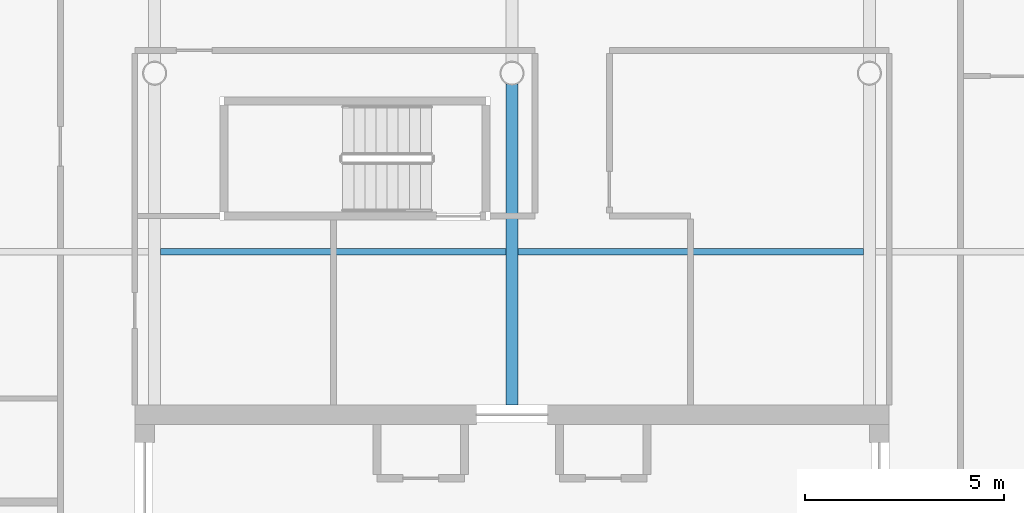
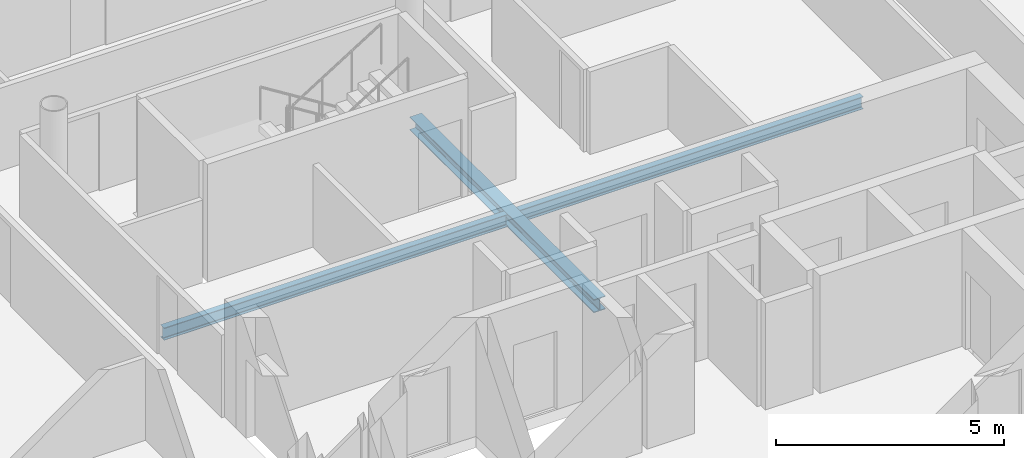
# One storey, part 7 of 19: 3 beams.
"""IFC4 building model written with IfcOpenShell, lengths in metres."""

from ifc_helpers import new_model, si_unit, direction, frame, origin, origin_2d, place, context, subcontext, project, spatial, i_section, extrude, material, material_profile, profile_set, type_object, element, save


model = new_model("IFC4")

# Units and contexts
model_context = context("Model", 3, precision=1e-05, world=origin(), true_north=direction((0.0, 1.0)))
body_context = subcontext(model_context, "Body", "Model", "MODEL_VIEW")
ifc_project = project(units=[si_unit("LENGTHUNIT", "METRE"), si_unit("AREAUNIT", "SQUARE_METRE"), si_unit("VOLUMEUNIT", "CUBIC_METRE"), si_unit("PLANEANGLEUNIT", "RADIAN"), si_unit("MASSUNIT", "GRAM", prefix="KILO")], contexts=[model_context])

# Site, building, storey
site_placement = place(None, origin())
site = spatial("IfcSite", under=ifc_project, at=site_placement, CompositionType="ELEMENT")
building_placement = place(site_placement, origin())
building = spatial("IfcBuilding", under=site, at=building_placement, Name="Tskaro Facet Tower", CompositionType="ELEMENT")
storey_placement = place(building_placement, frame((0.0, 0.0, 203.699951171875)))
storey = spatial("IfcBuildingStorey", under=building, at=storey_placement, Name="L52", CompositionType="ELEMENT", Elevation=203.699951171875)

# Beams
ifc_material = material(Name="Steel S355J2", Category="steel")
ifc_material_profile_1 = material_profile(ifc_material, i_section(OverallWidth=0.300048828125, OverallDepth=0.35009765625, WebThickness=0.010009765625, FlangeThickness=0.017578125, FilletRadius=0.027099609375, at=origin_2d()), Name="HE 360 A")
ifc_profile_set_1 = profile_set([ifc_material_profile_1], Name="Steel S355J2")
beam_type_1 = type_object("IfcBeamType", Name="HE 360 A girder", PredefinedType="BEAM", material=ifc_profile_set_1)
beam_placement = place(storey_placement, frame((0.0, 0.64990234375, -0.31494140625), z_axis=(0.0, 1.0, 0.0), x_axis=(-1.0, 0.0, 0.0)))
element("IfcBeam", 1, at=beam_placement, inside=storey, type_object=beam_type_1, Name="HE 360 A GB4-2-4", PredefinedType="BEAM", context=body_context, shape_type="SweptSolid", body=[
    extrude(i_section(OverallWidth=0.300048828125, OverallDepth=0.35009765625, WebThickness=0.010009765625, FlangeThickness=0.017578125, FilletRadius=0.027099609375, at=origin_2d()), origin(), (0.0, 0.0, 1.0), 8.0751953125),
])
ifc_material_profile_2 = material_profile(ifc_material, i_section(OverallWidth=0.159912109375, OverallDepth=0.330078125, WebThickness=0.007568359375, FlangeThickness=0.011474609375, FilletRadius=0.01806640625, at=origin_2d()), Name="IPE 330")
ifc_profile_set_2 = profile_set([ifc_material_profile_2], Name="Steel S355J2")
beam_type_2 = type_object("IfcBeamType", Name="IPE 330 secondary beam", PredefinedType="BEAM", material=ifc_profile_set_2)
for number, where, z_axis, x_axis, name in (
    (2, (-8.85009765625, 4.5, -0.304931640625), (1.0, 0.0, 0.0), (0.0, 1.0, 0.0), "IPE 330 SB4a-3-4"),
    (3, (0.14990234375, 4.5, -0.304931640625), (1.0, 0.0, 0.0), (0.0, 1.0, 0.0), "IPE 330 SB4a-4-4"),
):
    element("IfcBeam", number, at=place(storey_placement, frame(where, z_axis=z_axis, x_axis=x_axis)), inside=storey, type_object=beam_type_2, Name=name, PredefinedType="BEAM", context=body_context, shape_type="SweptSolid", body=[
        extrude(i_section(OverallWidth=0.159912109375, OverallDepth=0.330078125, WebThickness=0.007568359375, FlangeThickness=0.011474609375, FilletRadius=0.01806640625, at=origin_2d()), origin(), (0.0, 0.0, 1.0), 8.7001953125),
    ])

save(model, "model.ifc")
